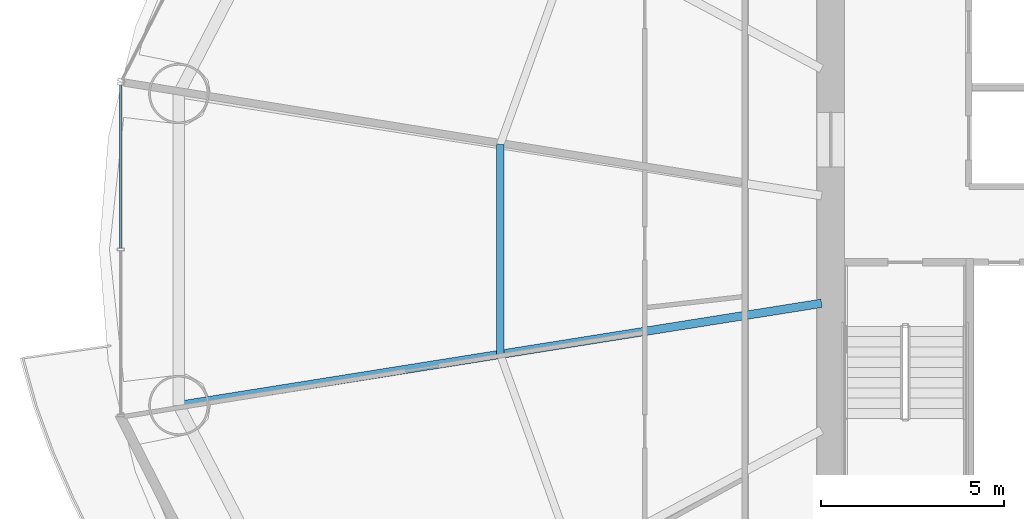
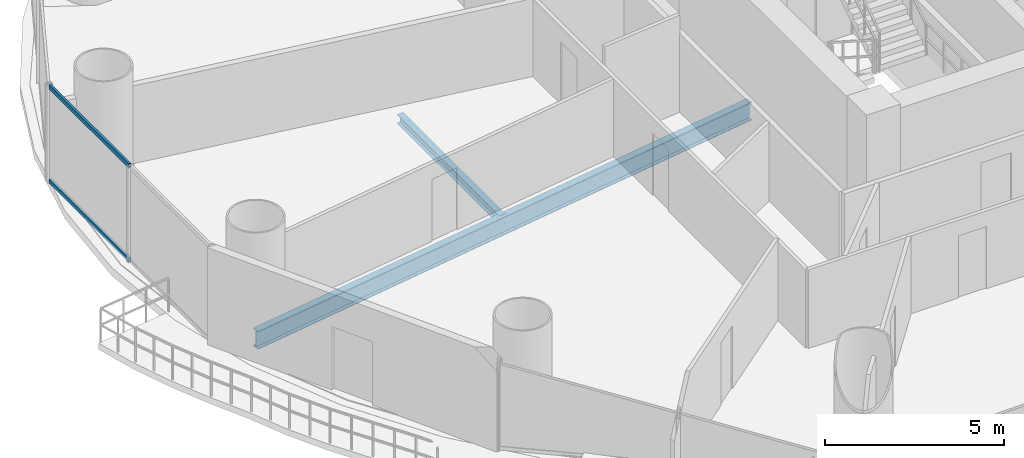
# One storey, part 7 of 30: 2 beams, 2 members, 1 element without a shape of its own.
"""IFC4 building model written with IfcOpenShell, lengths in metres."""

import ifcopenshell
import ifcopenshell.guid

model = None  # the IFC model being written
_history = None  # IfcOwnerHistory: only IFC2X3 demands one
_inside = {}  # id of a spatial element -> (the spatial element, [elements in it])
_under = {}  # id of a project, library or spatial element -> (it, [spatial elements below it])
_declared = {}  # id of a project -> (the project, [libraries it declares])
_typed = {}  # id of a type object -> (the type object, [elements of that type])
_made_of = {}  # id of a material, layer set ... -> (it, [elements and type objects made of it])


def new_model(schema):
    """Start an empty IFC model of exactly this schema.

    Asked for "IFC4X3", IfcOpenShell would pick the latest addendum, in which some entities
    have other attributes; the version numbers below select the first issue.
    IFC2X3 requires an IfcOwnerHistory on every rooted entity: one is made here for all.
    """
    global model, _history
    if schema == "IFC4X3":
        model = ifcopenshell.file(schema_version=(4, 3, 0, 0))
    else:
        model = ifcopenshell.file(schema=schema)
    _inside.clear()
    _under.clear()
    _declared.clear()
    _typed.clear()
    _made_of.clear()
    _history = None
    if model.schema == "IFC2X3":
        org = make("IfcOrganization", Name="unknown")
        user = make(
            "IfcPersonAndOrganization",
            ThePerson=make("IfcPerson", FamilyName="unknown"),
            TheOrganization=org,
        )
        app = make(
            "IfcApplication",
            ApplicationDeveloper=org,
            Version="unknown",
            ApplicationFullName="unknown",
            ApplicationIdentifier="unknown",
        )
        _history = make(
            "IfcOwnerHistory",
            OwningUser=user,
            OwningApplication=app,
            ChangeAction="ADDED",
            CreationDate=0,
        )
    return model


def make(cls, **values):
    """One entity of the class cls with the attributes given. An attribute that is None is left unset."""
    return model.create_entity(
        cls, **{name: value for name, value in values.items() if value is not None}
    )


def rooted(cls, **values):
    """An entity with a GlobalId (a new one), such as an element, a storey or a relation."""
    return make(cls, GlobalId=ifcopenshell.guid.new(), OwnerHistory=_history, **values)


def si_unit(unit_type, name, prefix=None):
    """IfcSIUnit, for example si_unit("LENGTHUNIT", "METRE", prefix="MILLI")."""
    return make("IfcSIUnit", UnitType=unit_type, Prefix=prefix, Name=name)


def assignment(units):
    """IfcUnitAssignment: the units of a project."""
    return None if units is None else make("IfcUnitAssignment", Units=units)


def point(xyz):
    """IfcCartesianPoint."""
    return None if xyz is None else make("IfcCartesianPoint", Coordinates=xyz)


def direction(xyz):
    """IfcDirection."""
    return None if xyz is None else make("IfcDirection", DirectionRatios=xyz)


def frame(location, z_axis=None, x_axis=None):
    """IfcAxis2Placement3D, a coordinate frame: its origin and axes. An axis left out is left unset."""
    return make(
        "IfcAxis2Placement3D",
        Location=point(location),
        Axis=direction(z_axis),
        RefDirection=direction(x_axis),
    )


def frame_2d(location, x_axis=None):
    """IfcAxis2Placement2D, a coordinate frame in the plane: its origin and x axis."""
    return make(
        "IfcAxis2Placement2D", Location=point(location), RefDirection=direction(x_axis)
    )


def origin():
    """The frame at (0, 0, 0) with its axes left unset."""
    return frame((0.0, 0.0, 0.0))


def origin_2d():
    """The frame at (0, 0) in the plane with its x axis left unset."""
    return frame_2d((0.0, 0.0))


def place(relative_to, where):
    """IfcLocalPlacement: puts the frame where relative to a parent placement (None: the world)."""
    return make(
        "IfcLocalPlacement", PlacementRelTo=relative_to, RelativePlacement=where
    )


def context(
    kind, dimensions, precision=None, world=None, true_north=None, identifier=None
):
    """IfcGeometricRepresentationContext, for example the 3D "Model" context."""
    return make(
        "IfcGeometricRepresentationContext",
        ContextIdentifier=identifier,
        ContextType=kind,
        CoordinateSpaceDimension=dimensions,
        Precision=precision,
        WorldCoordinateSystem=world,
        TrueNorth=true_north,
    )


def subcontext(parent, identifier, kind, view, scale=None):
    """IfcGeometricRepresentationSubContext, for example "Body" below "Model"."""
    return make(
        "IfcGeometricRepresentationSubContext",
        ContextIdentifier=identifier,
        ContextType=kind,
        ParentContext=parent,
        TargetScale=scale,
        TargetView=view,
    )


def project(units=None, contexts=None):
    """IfcProject with its units and contexts."""
    return rooted(
        "IfcProject",
        Name="project",
        RepresentationContexts=contexts,
        UnitsInContext=assignment(units),
    )


def spatial(cls, under=None, at=None, **own):
    """A site, building, storey or space (cls), placed at a placement, below another one or the project."""
    s = rooted(cls, ObjectPlacement=at, **own)
    if under is not None:
        _under.setdefault(under.id(), (under, []))[1].append(s)
    return s


def profile(cls, at=None, kind="AREA", **sizes):
    """A parametric profile (cls). Its sizes go by their IFC names, for example OverallWidth=200.0."""
    return make(cls, ProfileType=kind, Position=at, **sizes)


def hollow_rectangle(**sizes):
    """IfcRectangleHollowProfileDef."""
    return profile("IfcRectangleHollowProfileDef", **sizes)


def i_section(**sizes):
    """IfcIShapeProfileDef."""
    return profile("IfcIShapeProfileDef", **sizes)


def extrude(swept, where, along, depth):
    """IfcExtrudedAreaSolid: the profile swept, set in the frame where, extruded along a direction by depth."""
    return make(
        "IfcExtrudedAreaSolid",
        SweptArea=swept,
        Position=where,
        ExtrudedDirection=direction(along),
        Depth=depth,
    )


def shape(context_of_items, identifier, shape_type, items):
    """IfcShapeRepresentation: the items that make up one representation, for example the "Body"."""
    return make(
        "IfcShapeRepresentation",
        ContextOfItems=context_of_items,
        RepresentationIdentifier=identifier,
        RepresentationType=shape_type,
        Items=items,
    )


def source(mapping_origin, context_of_items, identifier, shape_type, items):
    """IfcRepresentationMap: a shape defined once, which mapped items show again and again."""
    return make(
        "IfcRepresentationMap",
        MappingOrigin=mapping_origin,
        MappedRepresentation=shape(context_of_items, identifier, shape_type, items),
    )


def transform(
    local_origin,
    x_axis=None,
    y_axis=None,
    z_axis=None,
    scale=None,
    scale2=None,
    scale3=None,
    uniform=True,
):
    """IfcCartesianTransformationOperator3D, or its non-uniform kind. x_axis, y_axis, z_axis: its Axis1, 2, 3."""
    if uniform:
        return make(
            "IfcCartesianTransformationOperator3D",
            Axis1=direction(x_axis),
            Axis2=direction(y_axis),
            LocalOrigin=point(local_origin),
            Scale=scale,
            Axis3=direction(z_axis),
        )
    return make(
        "IfcCartesianTransformationOperator3DnonUniform",
        Axis1=direction(x_axis),
        Axis2=direction(y_axis),
        LocalOrigin=point(local_origin),
        Scale=scale,
        Axis3=direction(z_axis),
        Scale2=scale2,
        Scale3=scale3,
    )


def mapped(mapping_source, mapping_target):
    """IfcMappedItem: shows the shape of a source again, moved by a transform."""
    return make(
        "IfcMappedItem", MappingSource=mapping_source, MappingTarget=mapping_target
    )


def material(Name=None, Category=None):
    """IfcMaterial."""
    return make("IfcMaterial", Name=Name, Category=Category)


def material_profile(
    of_material, cross_section, Name=None, Category=None, Priority=None
):
    """IfcMaterialProfile: a cross section and its material."""
    return make(
        "IfcMaterialProfile",
        Name=Name,
        Material=of_material,
        Profile=cross_section,
        Priority=Priority,
        Category=Category,
    )


def profile_set(profiles, Name=None, composite=None):
    """IfcMaterialProfileSet."""
    return make(
        "IfcMaterialProfileSet",
        Name=Name,
        MaterialProfiles=profiles,
        CompositeProfile=composite,
    )


def made_of(thing, what):
    """Note that an element or type object is made of a material, layer set ...; save() writes the relation."""
    if what is not None:
        _made_of.setdefault(what.id(), (what, []))[1].append(thing)
    return thing


def type_object(cls, material=None, **own):
    """A type object (cls), such as IfcWallType, which elements share."""
    return made_of(rooted(cls, **own), material)


def element(
    cls,
    number,
    at=None,
    inside=None,
    cuts=None,
    type_object=None,
    material=None,
    context=None,
    identifier="Body",
    shape_type=None,
    held_by="IfcProductDefinitionShape",
    body=None,
    shapes=None,
    **own,
):
    """One element of the class cls, such as IfcWall. Its Tag is "e" and its number.

    at: its placement. inside: the storey or other place that contains it. cuts: it is an
    opening in that element (IfcRelVoidsElement). A single representation is given by context,
    identifier, shape_type and body (its items); several are given by shapes. held_by: the class
    of the entity that holds the representations. save() writes the other relations.
    """
    e = rooted(cls, Tag="e%d" % number, ObjectPlacement=at, **own)
    if body is not None:
        shapes = [shape(context, identifier, shape_type, body)]
    if shapes is not None:
        e.Representation = make(held_by, Representations=shapes)
    if inside is not None:
        _inside.setdefault(inside.id(), (inside, []))[1].append(e)
    if cuts is not None:
        rooted(
            "IfcRelVoidsElement", RelatingBuildingElement=cuts, RelatedOpeningElement=e
        )
    if type_object is not None:
        _typed.setdefault(type_object.id(), (type_object, []))[1].append(e)
    return made_of(e, material)


def aggregate(whole, parts):
    """IfcRelAggregates: a whole, such as a stair, and the parts it consists of."""
    return rooted("IfcRelAggregates", RelatingObject=whole, RelatedObjects=parts)


def save(model, path):
    """Write the relations noted so far, then the file.

    IfcRelAggregates (storeys below a building ...), IfcRelContainedInSpatialStructure (elements
    in a storey), IfcRelDefinesByType, IfcRelAssociatesMaterial and IfcRelDeclares: one each for
    every whole, place, type object, material and project.
    """
    for whole, parts in _under.values():
        aggregate(whole, parts)
    for where, things in _inside.values():
        rooted(
            "IfcRelContainedInSpatialStructure",
            RelatedElements=things,
            RelatingStructure=where,
        )
    for kind, things in _typed.values():
        rooted("IfcRelDefinesByType", RelatedObjects=things, RelatingType=kind)
    for what, things in _made_of.values():
        rooted("IfcRelAssociatesMaterial", RelatedObjects=things, RelatingMaterial=what)
    for by, libraries in _declared.values():
        rooted("IfcRelDeclares", RelatingContext=by, RelatedDefinitions=libraries)
    model.write(path)


model = new_model("IFC4")

# Units and contexts
model_context = context("Model", 3, precision=1e-05, world=origin(), true_north=direction((-0.2419218956, 0.970295726276)))
body_context = subcontext(model_context, "Body", "Model", "MODEL_VIEW")
ifc_project = project(units=[si_unit("LENGTHUNIT", "METRE"), si_unit("AREAUNIT", "SQUARE_METRE"), si_unit("VOLUMEUNIT", "CUBIC_METRE"), si_unit("PLANEANGLEUNIT", "RADIAN"), si_unit("MASSUNIT", "GRAM", prefix="KILO")], contexts=[model_context])

# Site, building, storey
site_placement = place(None, origin())
site = spatial("IfcSite", under=ifc_project, at=site_placement, CompositionType="ELEMENT")
building_placement = place(site_placement, origin())
building = spatial("IfcBuilding", under=site, at=building_placement, Name="Cobrevalo Terracotta Tower", CompositionType="ELEMENT")
storey_placement = place(building_placement, frame((0.0, 0.0, 31.199951171875)))
storey = spatial("IfcBuildingStorey", under=building, at=storey_placement, Name="L07", CompositionType="ELEMENT", Elevation=31.199951171875)

# Beams
ifc_material_1 = material(Name="Steel S355", Category="steel")
ifc_material_profile_1 = material_profile(ifc_material_1, i_section(OverallWidth=0.22998046875, OverallDepth=0.616943359375, WebThickness=0.01318359375, FlangeThickness=0.022216796875, at=origin_2d()), Name="W 610x140")
ifc_profile_set_1 = profile_set([ifc_material_profile_1], Name="Steel S355")
beam_type_1 = type_object("IfcBeamType", Name="Structural Beam W 610x140 (Steel S355)", PredefinedType="BEAM", material=ifc_profile_set_1)
beam_1_placement = place(storey_placement, frame((11.175537109375, 22.537353515625, -0.58837890625), z_axis=(0.987607924622, 0.156941349628, 0.0), x_axis=(-0.156941349628, 0.987607924622, 0.0)))
element("IfcBeam", 1, at=beam_1_placement, inside=storey, type_object=beam_type_1, Name="L07 radial floor girder 09", PredefinedType="BEAM", context=body_context, shape_type="SweptSolid", body=[
    extrude(i_section(OverallWidth=0.22998046875, OverallDepth=0.616943359375, WebThickness=0.01318359375, FlangeThickness=0.022216796875, at=origin_2d()), origin(), (0.0, 0.0, 1.0), 17.7900390625),
])
ifc_material_profile_2 = material_profile(ifc_material_1, i_section(OverallWidth=0.2041015625, OverallDepth=0.305908203125, WebThickness=0.008544921875, FlangeThickness=0.0146484375, at=origin_2d()), Name="W 310x67")
ifc_profile_set_2 = profile_set([ifc_material_profile_2], Name="Steel S355")
beam_type_2 = type_object("IfcBeamType", Name="Structural Joist W 310x67 (Steel S355)", PredefinedType="JOIST", material=ifc_profile_set_2)
beam_2_placement = place(storey_placement, frame((19.960205078125, 29.666748046875, -0.432861328125), z_axis=(0.0, -1.0, 0.0), x_axis=(1.0, 0.0, 0.0)))
element("IfcBeam", 2, at=beam_2_placement, inside=storey, type_object=beam_type_2, Name="L07 circumferential secondary floor joist 08", PredefinedType="JOIST", context=body_context, shape_type="SweptSolid", body=[
    extrude(i_section(OverallWidth=0.2041015625, OverallDepth=0.305908203125, WebThickness=0.008544921875, FlangeThickness=0.0146484375, at=origin_2d()), origin(), (0.0, 0.0, 1.0), 5.7333984375),
])

# Curtain wall, members
ifc_material_2 = material(Name="Anodized aluminium", Category="aluminium")
curtain_wall_type = type_object("IfcCurtainWallType", Name="Lower-tower unitised acoustic low-E curtain wall CW-U1", PredefinedType="NOTDEFINED", material=ifc_material_2)
curtain_wall_placement = place(storey_placement, origin())
curtain_wall = element("IfcCurtainWall", 3, at=curtain_wall_placement, inside=storey, type_object=curtain_wall_type, Name="L07 curtain wall CW-L07-S08", PredefinedType="NOTDEFINED")
ifc_material_profile_3 = material_profile(ifc_material_2, hollow_rectangle(XDim=0.074951171875, YDim=0.14990234375, WallThickness=0.00439453125, at=origin_2d()), Name="CWT 75x150")
ifc_profile_set_3 = profile_set([ifc_material_profile_3], Name="Anodized aluminium")
member_type = type_object("IfcMemberType", Name="Tower unitised aluminium transom 75x150", PredefinedType="USERDEFINED", material=ifc_profile_set_3)
shared_shape = source(origin(), body_context, "Body", "SweptSolid", [
    extrude(hollow_rectangle(XDim=0.074951171875, YDim=0.14990234375, WallThickness=0.00439453125, at=origin_2d()), origin(), (0.0, 0.0, 1.0), 4.458740234375),
])
member_1_placement = place(storey_placement, frame((9.586669921875, 31.298828125, 0.050048828125), z_axis=(0.0, -1.0, 0.0), x_axis=(1.0, 0.0, 0.0)))
member_1 = element("IfcMember", 4, at=member_1_placement, type_object=member_type, Name="CW-L07-S08 transom B01-T1", ObjectType="TRANSOM", PredefinedType="USERDEFINED", context=body_context, shape_type="MappedRepresentation", body=[
    mapped(shared_shape, transform((0.0, 0.0, 0.0), scale=1.0)),
])
member_2_placement = place(storey_placement, frame((9.586669921875, 31.298828125, 3.27001953125), z_axis=(0.0, -1.0, 0.0), x_axis=(1.0, 0.0, 0.0)))
member_2 = element("IfcMember", 5, at=member_2_placement, type_object=member_type, Name="CW-L07-S08 transom B01-T2", ObjectType="TRANSOM", PredefinedType="USERDEFINED", context=body_context, shape_type="MappedRepresentation", body=[
    mapped(shared_shape, transform((0.0, 0.0, 0.0), scale=1.0)),
])
aggregate(curtain_wall, [member_1, member_2])

save(model, "model.ifc")
